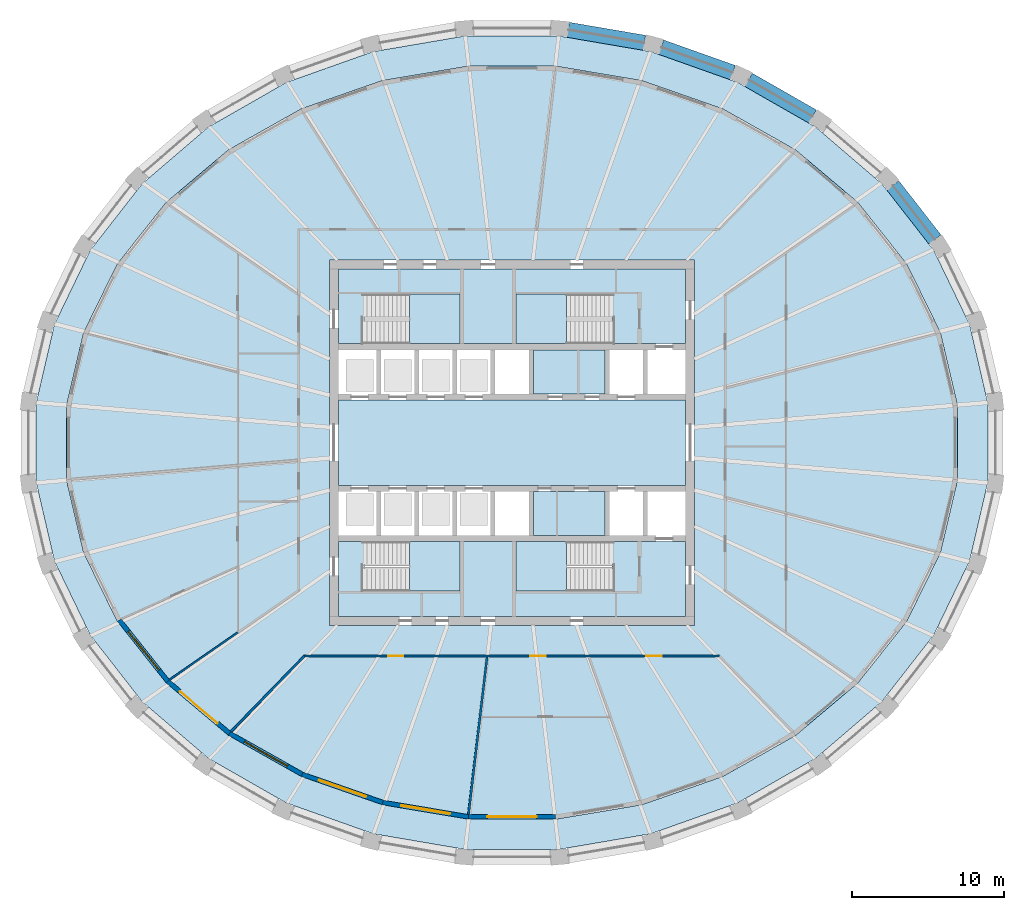
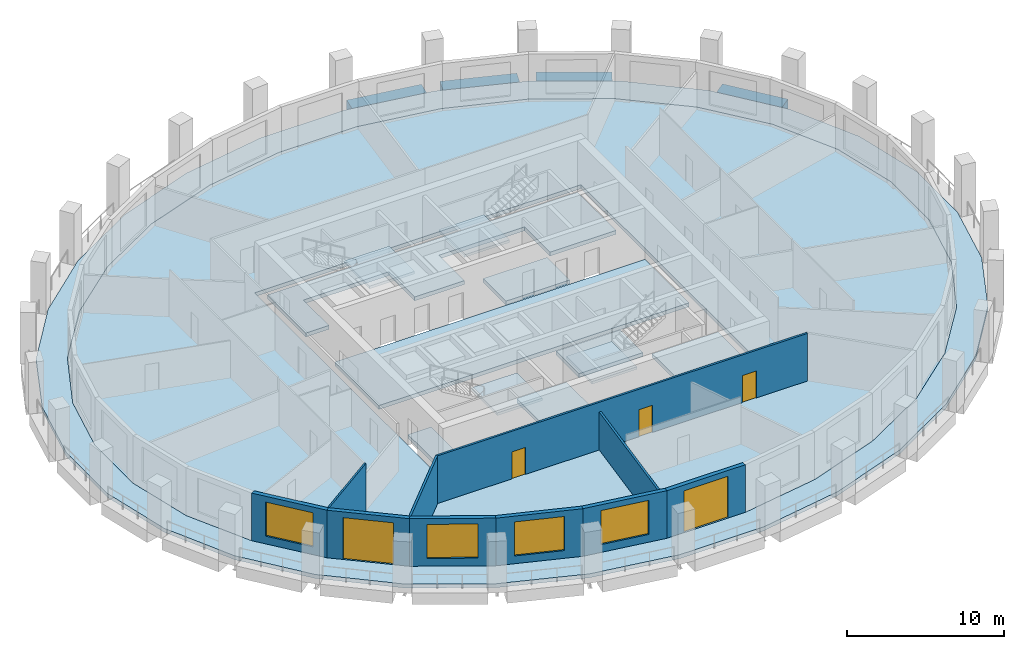
# One storey, part 2 of 11: 11 slabs, 10 walls, 5 doors, 4 beams, 4 windows, 9 openings, 4 elements without a shape of their own.
"""IFC4 building model written with IfcOpenShell, lengths in metres."""

from ifc_helpers import new_model, si_unit, direction, frame, frame_2d, origin, origin_2d, place, context, subcontext, project, spatial, polyline, rectangle, outline, extrude, material, layer, layer_set, material_profile, profile_set, type_object, element, fill, aggregate, save


model = new_model("IFC4")

# Units and contexts
model_context = context("Model", 3, precision=1e-05, world=origin(), true_north=direction((0.0, 1.0)))
body_context = subcontext(model_context, "Body", "Model", "MODEL_VIEW")
ifc_project = project(units=[si_unit("LENGTHUNIT", "METRE"), si_unit("AREAUNIT", "SQUARE_METRE"), si_unit("VOLUMEUNIT", "CUBIC_METRE"), si_unit("PLANEANGLEUNIT", "RADIAN"), si_unit("MASSUNIT", "GRAM", prefix="KILO")], contexts=[model_context])

# Site, building, storey
site_placement = place(None, origin())
site = spatial("IfcSite", under=ifc_project, at=site_placement, CompositionType="ELEMENT")
building_placement = place(site_placement, origin())
building = spatial("IfcBuilding", under=site, at=building_placement, Name="Halqa Exchange Tower", CompositionType="ELEMENT")
storey_placement = place(building_placement, frame((0.0, 0.0, 214.89990234375)))
storey = spatial("IfcBuildingStorey", under=building, at=storey_placement, Name="L49", CompositionType="ELEMENT", Elevation=214.89990234375)

# Beams
ifc_material_1 = material(Name="Concrete C60/75", Category="concrete")
ifc_material_profile = material_profile(ifc_material_1, rectangle(XDim=1.0, YDim=0.89990234375, at=origin_2d()), Name="1000 x 900")
ifc_profile_set = profile_set([ifc_material_profile], Name="Concrete C60/75")
beam_type = type_object("IfcBeamType", Name="RC spandrel beam 1000 x 900 C60/75", PredefinedType="SPANDREL", material=ifc_profile_set)
beam_1_placement = place(storey_placement, frame((27.775390625, 13.34033203125, -0.449951171875), z_axis=(-0.614807814893, 0.788676962226, 0.0), x_axis=(-0.788676962226, -0.614807814893, 0.0)))
element("IfcBeam", 1, at=beam_1_placement, inside=storey, type_object=beam_type, Name="Spandrel 3", PredefinedType="SPANDREL", context=body_context, shape_type="SweptSolid", body=[
    extrude(rectangle(XDim=1.0, YDim=0.89990234375, at=origin_2d()), origin(), (0.0, 0.0, 1.0), 4.500244140625),
])
beam_2_placement = place(storey_placement, frame((19.734619140625, 21.418701171875, -0.449951171875), z_axis=(-0.867767943929, 0.49696961224, 0.0), x_axis=(-0.49696961224, -0.867767943929, 0.0)))
element("IfcBeam", 2, at=beam_2_placement, inside=storey, type_object=beam_type, Name="Spandrel 5", PredefinedType="SPANDREL", context=body_context, shape_type="SweptSolid", body=[
    extrude(rectangle(XDim=1.0, YDim=0.89990234375, at=origin_2d()), origin(), (0.0, 0.0, 1.0), 4.84130859375),
])
beam_3_placement = place(storey_placement, frame((14.49462890625, 24.302001953125, -0.449951171875), z_axis=(-0.942368939802, 0.334575524054, 0.0), x_axis=(-0.334575524054, -0.942368939802, 0.0)))
element("IfcBeam", 3, at=beam_3_placement, inside=storey, type_object=beam_type, Name="Spandrel 6", PredefinedType="SPANDREL", context=body_context, shape_type="SweptSolid", body=[
    extrude(rectangle(XDim=1.0, YDim=0.89990234375, at=origin_2d()), origin(), (0.0, 0.0, 1.0), 4.981689453125),
])
beam_4_placement = place(storey_placement, frame((8.692626953125, 26.257568359375, -0.449951171875), z_axis=(-0.985769121581, 0.168104845076, 0.0), x_axis=(-0.168104845076, -0.985769121581, 0.0)))
element("IfcBeam", 4, at=beam_4_placement, inside=storey, type_object=beam_type, Name="Spandrel 7", PredefinedType="SPANDREL", context=body_context, shape_type="SweptSolid", body=[
    extrude(rectangle(XDim=1.0, YDim=0.89990234375, at=origin_2d()), origin(), (0.0, 0.0, 1.0), 5.072998046875),
])

# Slabs
ifc_layer_1 = layer(ifc_material_1, 0.300048828125)
ifc_layer_set_1 = layer_set([ifc_layer_1], Name="Concrete C60/75")
slab_type_1 = type_object("IfcSlabType", Name="Core floor slab 300", PredefinedType="FLOOR", material=ifc_layer_set_1)
slab_1_placement = place(storey_placement, frame((0.0, 0.0, -0.2998046875)))
element("IfcSlab", 5, at=slab_1_placement, inside=storey, type_object=slab_type_1, Name="Core floor slab", PredefinedType="FLOOR", context=body_context, shape_type="SweptSolid", body=[
    extrude(outline(polyline([(-11.39990234375, 2.800048828125), (11.39990234375, 2.800048828125), (11.39990234375, -2.800048828125), (-11.39990234375, -2.800048828125), (-11.39990234375, 2.800048828125)])), origin(), (0.0, 0.0, 1.0), 0.2998046875),
])
slab_2_placement = place(storey_placement, frame((0.0, 0.0, -0.2998046875)))
element("IfcSlab", 6, at=slab_2_placement, inside=storey, type_object=slab_type_1, Name="Core floor slab", PredefinedType="FLOOR", context=body_context, shape_type="SweptSolid", body=[
    extrude(outline(polyline([(-11.39990234375, 11.39990234375), (11.39990234375, 11.39990234375), (11.39990234375, 6.5), (6.550048828125, 6.5), (6.550048828125, 9.75), (0.25, 9.75), (0.25, 6.5), (-3.39990234375, 6.5), (-3.39990234375, 9.75), (-9.699951171875, 9.75), (-9.699951171875, 6.5), (-11.39990234375, 6.5), (-11.39990234375, 11.39990234375)])), origin(), (0.0, 0.0, 1.0), 0.2998046875),
])
slab_3_placement = place(storey_placement, frame((0.0, 0.0, -0.2998046875)))
element("IfcSlab", 7, at=slab_3_placement, inside=storey, type_object=slab_type_1, Name="Core floor slab", PredefinedType="FLOOR", context=body_context, shape_type="SweptSolid", body=[
    extrude(outline(polyline([(-9.699951171875, -9.75), (-3.39990234375, -9.75), (-3.39990234375, -6.5), (0.25, -6.5), (0.25, -9.75), (6.550048828125, -9.75), (6.550048828125, -6.5), (11.39990234375, -6.5), (11.39990234375, -11.39990234375), (-11.39990234375, -11.39990234375), (-11.39990234375, -6.5), (-9.699951171875, -6.5), (-9.699951171875, -9.75)])), origin(), (0.0, 0.0, 1.0), 0.2998046875),
])
slab_4_placement = place(storey_placement, frame((0.0, 0.0, -0.2998046875)))
element("IfcSlab", 8, at=slab_4_placement, inside=storey, type_object=slab_type_1, Name="Core floor slab", PredefinedType="FLOOR", context=body_context, shape_type="SweptSolid", body=[
    extrude(outline(polyline([(6.10009765625, -3.199951171875), (6.10009765625, -6.10009765625), (1.39990234375, -6.10009765625), (1.39990234375, -3.199951171875), (6.10009765625, -3.199951171875)])), origin(), (0.0, 0.0, 1.0), 0.2998046875),
])
slab_5_placement = place(storey_placement, frame((0.0, 0.0, -0.2998046875)))
element("IfcSlab", 9, at=slab_5_placement, inside=storey, type_object=slab_type_1, Name="Core floor slab", PredefinedType="FLOOR", context=body_context, shape_type="SweptSolid", body=[
    extrude(outline(polyline([(6.10009765625, 6.10009765625), (6.10009765625, 3.199951171875), (1.39990234375, 3.199951171875), (1.39990234375, 6.10009765625), (6.10009765625, 6.10009765625)])), origin(), (0.0, 0.0, 1.0), 0.2998046875),
])
ifc_material_2 = material(Name="Concrete C40/50", Category="concrete")
ifc_layer_2 = layer(ifc_material_2, 0.300048828125)
ifc_layer_set_2 = layer_set([ifc_layer_2], Name="Concrete C40/50")
slab_type_2 = type_object("IfcSlabType", Name="RC floor slab 300", PredefinedType="FLOOR", material=ifc_layer_set_2)
slab_6_placement = place(storey_placement, frame((0.0, 0.0, -0.2998046875)))
element("IfcSlab", 10, at=slab_6_placement, inside=storey, type_object=slab_type_2, Name="Floor slab", PredefinedType="FLOOR", context=body_context, shape_type="SweptSolid", body=[
    extrude(outline(polyline([(29.254638671875, 2.440185546875), (28.126220703125, 7.224853515625), (25.914306640625, 11.728515625), (22.706787109375, 15.77685546875), (18.62939453125, 19.2158203125), (13.839111328125, 21.915283203125), (8.5205078125, 23.773193359375), (2.876708984375, 24.72021484375), (-2.876708984375, 24.72021484375), (-8.5205078125, 23.773193359375), (-13.839111328125, 21.915283203125), (-18.62939453125, 19.2158203125), (-22.706787109375, 15.77685546875), (-25.914306640625, 11.728515625), (-28.126220703125, 7.224853515625), (-29.254638671875, 2.440185546875), (-29.254638671875, -2.440185546875), (-28.126220703125, -7.224853515625), (-25.914306640625, -11.728515625), (-22.706787109375, -15.77685546875), (-18.62939453125, -19.2158203125), (-13.839111328125, -21.915283203125), (-8.5205078125, -23.773193359375), (-2.876708984375, -24.72021484375), (2.876708984375, -24.72021484375), (8.5205078125, -23.773193359375), (13.839111328125, -21.915283203125), (18.62939453125, -19.2158203125), (22.706787109375, -15.77685546875), (25.914306640625, -11.728515625), (28.126220703125, -7.224853515625), (29.254638671875, -2.440185546875), (29.254638671875, 2.440185546875)]), holes=[polyline([(-12.0, -12.0), (12.0, -12.0), (12.0, 12.0), (-12.0, 12.0), (-12.0, -12.0)])]), origin(), (0.0, 0.0, 1.0), 0.2998046875),
])
ifc_layer_3 = layer(ifc_material_2, 0.300048828125)
ifc_layer_set_3 = layer_set([ifc_layer_3], Name="Concrete C40/50")
slab_type_3 = type_object("IfcSlabType", Name="RC loggia slab 300", PredefinedType="FLOOR", material=ifc_layer_set_3)
slab_7_placement = place(storey_placement, frame((0.0, 0.0, -0.2998046875)))
element("IfcSlab", 11, at=slab_7_placement, inside=storey, type_object=slab_type_3, Name="Loggia slab", PredefinedType="FLOOR", context=body_context, shape_type="SweptSolid", body=[
    extrude(outline(polyline([(31.2412109375, 2.622314453125), (31.2412109375, -2.622314453125), (30.046875, -7.7685546875), (27.70166015625, -12.62158203125), (24.29150390625, -16.99609375), (19.9443359375, -20.722412109375), (14.825439453125, -23.654052734375), (9.1318359375, -25.675537109375), (3.083984375, -26.706787109375), (-3.083984375, -26.706787109375), (-9.1318359375, -25.675537109375), (-14.825439453125, -23.654052734375), (-19.9443359375, -20.722412109375), (-24.29150390625, -16.99609375), (-27.70166015625, -12.62158203125), (-30.046875, -7.7685546875), (-31.2412109375, -2.622314453125), (-31.2412109375, 2.622314453125), (-30.046875, 7.7685546875), (-27.70166015625, 12.62158203125), (-24.29150390625, 16.99609375), (-19.9443359375, 20.722412109375), (-14.825439453125, 23.654052734375), (-9.1318359375, 25.675537109375), (-3.083984375, 26.706787109375), (3.083984375, 26.706787109375), (9.1318359375, 25.675537109375), (14.825439453125, 23.654052734375), (19.9443359375, 20.722412109375), (24.29150390625, 16.99609375), (27.70166015625, 12.62158203125), (30.046875, 7.7685546875), (31.2412109375, 2.622314453125)]), holes=[polyline([(29.254638671875, 2.440185546875), (28.126220703125, 7.224853515625), (25.914306640625, 11.728515625), (22.706787109375, 15.77685546875), (18.62939453125, 19.2158203125), (13.839111328125, 21.915283203125), (8.5205078125, 23.773193359375), (2.876708984375, 24.72021484375), (-2.876708984375, 24.72021484375), (-8.5205078125, 23.773193359375), (-13.839111328125, 21.915283203125), (-18.62939453125, 19.2158203125), (-22.706787109375, 15.77685546875), (-25.914306640625, 11.728515625), (-28.126220703125, 7.224853515625), (-29.254638671875, 2.440185546875), (-29.254638671875, -2.440185546875), (-28.126220703125, -7.224853515625), (-25.914306640625, -11.728515625), (-22.706787109375, -15.77685546875), (-18.62939453125, -19.2158203125), (-13.839111328125, -21.915283203125), (-8.5205078125, -23.773193359375), (-2.876708984375, -24.72021484375), (2.876708984375, -24.72021484375), (8.5205078125, -23.773193359375), (13.839111328125, -21.915283203125), (18.62939453125, -19.2158203125), (22.706787109375, -15.77685546875), (25.914306640625, -11.728515625), (28.126220703125, -7.224853515625), (29.254638671875, -2.440185546875), (29.254638671875, 2.440185546875)])]), origin(), (0.0, 0.0, 1.0), 0.2998046875),
])

# Stair, slab
ifc_material_3 = material(Name="Concrete C30/37", Category="concrete")
stair_type = type_object("IfcStairType", Name="Exit stair 1500 wide", PredefinedType="HALF_TURN_STAIR", material=ifc_material_3)
stair_1_placement = place(storey_placement, origin())
stair_1 = element("IfcStair", 12, at=stair_1_placement, inside=storey, type_object=stair_type, Name="Exit stair ST1", PredefinedType="HALF_TURN_STAIR")
ifc_layer_4 = layer(ifc_material_3, 0.199951171875)
ifc_layer_set_4 = layer_set([ifc_layer_4], Name="Concrete C30/37")
slab_type_4 = type_object("IfcSlabType", Name="Stair landing 200 slab", PredefinedType="LANDING", material=ifc_layer_set_4)
slab_8_placement = place(storey_placement, frame((0.0, 0.0, 1.800048828125)))
slab_8 = element("IfcSlab", 13, at=slab_8_placement, type_object=slab_type_4, Name="ST1 landing 1", PredefinedType="LANDING", context=body_context, shape_type="SweptSolid", body=[
    extrude(outline(polyline([(-6.719970703125, 6.5), (-3.39990234375, 6.5), (-3.39990234375, 9.75), (-6.719970703125, 9.75), (-6.719970703125, 6.5)])), origin(), (0.0, 0.0, 1.0), 0.199951171875),
])
aggregate(stair_1, [slab_8])

stair_2_placement = place(storey_placement, origin())
stair_2 = element("IfcStair", 14, at=stair_2_placement, inside=storey, type_object=stair_type, Name="Exit stair ST2", PredefinedType="HALF_TURN_STAIR")
slab_9_placement = place(storey_placement, frame((0.0, 0.0, 1.800048828125)))
slab_9 = element("IfcSlab", 15, at=slab_9_placement, type_object=slab_type_4, Name="ST2 landing 1", PredefinedType="LANDING", context=body_context, shape_type="SweptSolid", body=[
    extrude(outline(polyline([(0.25, 6.5), (3.570068359375, 6.5), (3.570068359375, 9.75), (0.25, 9.75), (0.25, 6.5)])), origin(), (0.0, 0.0, 1.0), 0.199951171875),
])
aggregate(stair_2, [slab_9])

stair_3_placement = place(storey_placement, origin())
stair_3 = element("IfcStair", 16, at=stair_3_placement, inside=storey, type_object=stair_type, Name="Exit stair ST3", PredefinedType="HALF_TURN_STAIR")
slab_10_placement = place(storey_placement, frame((0.0, 0.0, 1.800048828125)))
slab_10 = element("IfcSlab", 17, at=slab_10_placement, type_object=slab_type_4, Name="ST3 landing 1", PredefinedType="LANDING", context=body_context, shape_type="SweptSolid", body=[
    extrude(outline(polyline([(-6.719970703125, -9.75), (-3.39990234375, -9.75), (-3.39990234375, -6.5), (-6.719970703125, -6.5), (-6.719970703125, -9.75)])), origin(), (0.0, 0.0, 1.0), 0.199951171875),
])
aggregate(stair_3, [slab_10])

stair_4_placement = place(storey_placement, origin())
stair_4 = element("IfcStair", 18, at=stair_4_placement, inside=storey, type_object=stair_type, Name="Exit stair ST4", PredefinedType="HALF_TURN_STAIR")
slab_11_placement = place(storey_placement, frame((0.0, 0.0, 1.800048828125)))
slab_11 = element("IfcSlab", 19, at=slab_11_placement, type_object=slab_type_4, Name="ST4 landing 1", PredefinedType="LANDING", context=body_context, shape_type="SweptSolid", body=[
    extrude(outline(polyline([(0.25, -9.75), (3.570068359375, -9.75), (3.570068359375, -6.5), (0.25, -6.5), (0.25, -9.75)])), origin(), (0.0, 0.0, 1.0), 0.199951171875),
])
aggregate(stair_4, [slab_11])

# Wall, openings, doors
ifc_material_4 = material(Name="Fire-rated gypsum board")
ifc_layer_5 = layer(ifc_material_4, 0.14990234375)
ifc_layer_set_5 = layer_set([ifc_layer_5], Name="Fire-rated gypsum board")
wall_type_1 = type_object("IfcWallType", Name="Fire partition EI 60 150", PredefinedType="PARTITIONING", material=ifc_layer_set_5)
wall_1_placement = place(storey_placement, frame((-13.651611328125, -14.0, 0.0), z_axis=(0.0, 0.0, 1.0), x_axis=(1.0, 0.0, 0.0)))
wall_1 = element("IfcWall", 20, at=wall_1_placement, inside=storey, type_object=wall_type_1, Name="L49-PWL-010", PredefinedType="PARTITIONING", context=body_context, shape_type="SweptSolid", body=[
    extrude(outline(polyline([(0.063232421875, -0.074951171875), (2.00439453125, -0.074951171875), (3.945556640625, -0.074951171875), (5.88671875, -0.074951171875), (7.828125, -0.074951171875), (9.769287109375, -0.074951171875), (11.71044921875, -0.074951171875), (13.651611328125, -0.074951171875), (15.5927734375, -0.074951171875), (17.533935546875, -0.074951171875), (19.47509765625, -0.074951171875), (21.41650390625, -0.074951171875), (23.357666015625, -0.074951171875), (25.298828125, -0.074951171875), (27.239990234375, -0.074951171875), (27.30322265625, 0.074951171875), (27.30322265625, 0.074951171875), (25.35302734375, 0.074951171875), (23.40283203125, 0.074951171875), (21.45263671875, 0.074951171875), (19.502197265625, 0.074951171875), (17.552001953125, 0.074951171875), (15.601806640625, 0.074951171875), (13.651611328125, 0.074951171875), (11.701416015625, 0.074951171875), (9.751220703125, 0.074951171875), (7.801025390625, 0.074951171875), (5.8505859375, 0.074951171875), (3.900390625, 0.074951171875), (1.9501953125, 0.074951171875), (0.0, 0.074951171875), (0.0, 0.074951171875), (0.063232421875, -0.074951171875)])), origin(), (0.0, 0.0, 1.0), 3.7001953125),
])
opening_1_placement = place(wall_1_placement, frame((5.526611328125, 0.0, 0.0)))
opening_1 = element("IfcOpeningElement", 21, at=opening_1_placement, cuts=wall_1, Name="Opening 15-08", PredefinedType="OPENING", context=body_context, shape_type="SweptSolid", body=[
    extrude(rectangle(XDim=1.0, YDim=2.10009765625, at=frame_2d((0.5, 1.050048828125))), frame((0.0, 0.0869140625, 0.0), z_axis=(0.0, -1.0, 0.0), x_axis=(1.0, 0.0, 0.0)), (0.0, 0.0, 1.0), 0.173828125),
])
opening_2_placement = place(wall_1_placement, frame((14.856689453125, 0.0, 0.0)))
opening_2 = element("IfcOpeningElement", 22, at=opening_2_placement, cuts=wall_1, Name="Opening 15-09", PredefinedType="OPENING", context=body_context, shape_type="SweptSolid", body=[
    extrude(rectangle(XDim=1.0, YDim=2.10009765625, at=frame_2d((0.5, 1.050048828125))), frame((0.0, 0.0869140625, 0.0), z_axis=(0.0, -1.0, 0.0), x_axis=(1.0, 0.0, 0.0)), (0.0, 0.0, 1.0), 0.173828125),
])
opening_3_placement = place(wall_1_placement, frame((22.481689453125, 0.0, 0.0)))
opening_3 = element("IfcOpeningElement", 23, at=opening_3_placement, cuts=wall_1, Name="Opening 15-10", PredefinedType="OPENING", context=body_context, shape_type="SweptSolid", body=[
    extrude(rectangle(XDim=1.0, YDim=2.10009765625, at=frame_2d((0.5, 1.050048828125))), frame((0.0, 0.0869140625, 0.0), z_axis=(0.0, -1.0, 0.0), x_axis=(1.0, 0.0, 0.0)), (0.0, 0.0, 1.0), 0.173828125),
])
ifc_material_5 = material(Name="Steel fire door leaf", Category="steel")
door_type_1 = type_object("IfcDoorType", Name="Fire door FD30S 1000 x 2100", OperationType="SINGLE_SWING_LEFT", PredefinedType="DOOR", material=ifc_material_5)
door_1_placement = place(opening_1_placement, frame((1.0, 0.0, 0.0), z_axis=(0.0, 0.0, 1.0), x_axis=(-1.0, 0.0, 0.0)))
door_1 = element("IfcDoor", 24, at=door_1_placement, inside=storey, type_object=door_type_1, Name="L49-IDR-008", OperationType="SINGLE_SWING_LEFT", OverallHeight=2.10009765625, OverallWidth=1.0, PredefinedType="DOOR", context=body_context, shape_type="SweptSolid", body=[
    extrude(rectangle(XDim=1.0, YDim=2.10009765625, at=frame_2d((0.5, 1.050048828125))), frame((0.0, 0.02490234375, 0.0), z_axis=(0.0, -1.0, 0.0), x_axis=(1.0, 0.0, 0.0)), (0.0, 0.0, 1.0), 0.050048828125),
])
fill(opening_1, door_1)
door_2_placement = place(opening_2_placement, frame((1.0, 0.0, 0.0), z_axis=(0.0, 0.0, 1.0), x_axis=(-1.0, 0.0, 0.0)))
door_2 = element("IfcDoor", 25, at=door_2_placement, inside=storey, type_object=door_type_1, Name="L49-IDR-009", OperationType="SINGLE_SWING_LEFT", OverallHeight=2.10009765625, OverallWidth=1.0, PredefinedType="DOOR", context=body_context, shape_type="SweptSolid", body=[
    extrude(rectangle(XDim=1.0, YDim=2.10009765625, at=frame_2d((0.5, 1.050048828125))), frame((0.0, 0.02490234375, 0.0), z_axis=(0.0, -1.0, 0.0), x_axis=(1.0, 0.0, 0.0)), (0.0, 0.0, 1.0), 0.050048828125),
])
fill(opening_2, door_2)
door_3_placement = place(opening_3_placement, frame((1.0, 0.0, 0.0), z_axis=(0.0, 0.0, 1.0), x_axis=(-1.0, 0.0, 0.0)))
door_3 = element("IfcDoor", 26, at=door_3_placement, inside=storey, type_object=door_type_1, Name="L49-IDR-010", OperationType="SINGLE_SWING_RIGHT", OverallHeight=2.10009765625, OverallWidth=1.0, PredefinedType="DOOR", context=body_context, shape_type="SweptSolid", body=[
    extrude(rectangle(XDim=1.0, YDim=2.10009765625, at=frame_2d((0.5, 1.050048828125))), frame((0.0, 0.02490234375, 0.0), z_axis=(0.0, -1.0, 0.0), x_axis=(1.0, 0.0, 0.0)), (0.0, 0.0, 1.0), 0.050048828125),
])
fill(opening_3, door_3)

# Walls
wall_2_placement = place(storey_placement, frame((-13.597900390625, -13.977294921875, 0.0), z_axis=(0.0, 0.0, 1.0), x_axis=(-0.697374409368, -0.716707006494, 0.0)))
element("IfcWall", 27, at=wall_2_placement, inside=storey, type_object=wall_type_1, Name="L49-PWL-017", PredefinedType="PARTITIONING", context=body_context, shape_type="SweptSolid", body=[
    extrude(outline(polyline([(6.970947265625, -0.074951171875), (6.970947265625, -0.070068359375), (6.966064453125, -0.002197265625), (6.94580078125, 0.074951171875), (5.22509765625, 0.074951171875), (3.504638671875, 0.074951171875), (1.783935546875, 0.074951171875), (0.063232421875, 0.074951171875), (0.03173828125, 0.0), (0.0, -0.074951171875), (1.74267578125, -0.074951171875), (3.485595703125, -0.074951171875), (5.228271484375, -0.074951171875), (6.970947265625, -0.074951171875)])), origin(), (0.0, 0.0, 1.0), 3.7001953125),
])
wall_3_placement = place(storey_placement, frame((-2.854248046875, -24.41552734375, 0.0), z_axis=(0.0, 0.0, 1.0), x_axis=(0.116750167138, 0.993161315433, 0.0)))
element("IfcWall", 28, at=wall_3_placement, inside=storey, type_object=wall_type_1, Name="L49-PWL-019", PredefinedType="PARTITIONING", context=body_context, shape_type="SweptSolid", body=[
    extrude(outline(polyline([(0.004150390625, -0.074951171875), (1.630126953125, -0.074951171875), (3.256103515625, -0.074951171875), (4.882080078125, -0.074951171875), (6.508056640625, -0.074951171875), (6.518798828125, -0.07373046875), (6.518798828125, -0.074951171875), (8.469482421875, -0.074951171875), (10.420166015625, -0.074951171875), (10.420166015625, -0.07177734375), (10.40283203125, 0.074951171875), (8.669189453125, 0.074951171875), (6.935302734375, 0.074951171875), (5.201416015625, 0.074951171875), (3.467529296875, 0.074951171875), (1.73388671875, 0.074951171875), (0.0, 0.074951171875), (0.0, -0.0390625), (0.004150390625, -0.074951171875)])), origin(), (0.0, 0.0, 1.0), 2.947021484375),
])
ifc_material_6 = material(Name="Fire-rated glazing", Category="glass")
ifc_layer_6 = layer(ifc_material_6, 0.1201171875)
ifc_layer_set_6 = layer_set([ifc_layer_6], Name="Fire-rated glazing")
wall_type_2 = type_object("IfcWallType", Name="Glazed fire partition EI 60 120", PredefinedType="PARTITIONING", material=ifc_layer_set_6)
wall_4_placement = place(storey_placement, frame((-22.4931640625, -15.569091796875, 0.0), z_axis=(0.0, 0.0, 1.0), x_axis=(0.822322462014, 0.569021764494, 0.0)))
element("IfcWall", 29, at=wall_4_placement, inside=storey, type_object=wall_type_2, Name="L49-PWL-001", PredefinedType="PARTITIONING", context=body_context, shape_type="SweptSolid", body=[
    extrude(outline(polyline([(0.019775390625, -0.06005859375), (1.83447265625, -0.06005859375), (3.649169921875, -0.06005859375), (5.4638671875, -0.06005859375), (5.4638671875, 0.06005859375), (3.642578125, 0.06005859375), (1.8212890625, 0.06005859375), (0.0, 0.06005859375), (0.0, 0.053466796875), (0.00341796875, 0.000244140625), (0.019775390625, -0.06005859375)])), origin(), (0.0, 0.0, 1.0), 3.7001953125),
])

# Wall, opening, window
ifc_material_7 = material(Name="Limestone cladding", Category="masonry")
ifc_layer_7 = layer(ifc_material_7, 0.0400390625)
ifc_material_8 = material(Name="Ventilated cavity")
ifc_layer_8 = layer(ifc_material_8, 0.030029296875, ventilated=True)
ifc_material_9 = material(Name="Mineral wool insulation")
ifc_layer_9 = layer(ifc_material_9, 0.10009765625)
ifc_layer_10 = layer(ifc_material_3, 0.10009765625)
ifc_material_10 = material(Name="Internal plaster")
ifc_layer_11 = layer(ifc_material_10, 0.030029296875)
ifc_layer_set_7 = layer_set([ifc_layer_7, ifc_layer_8, ifc_layer_9, ifc_layer_10, ifc_layer_11], Name="Stone-faced insulated wall 300")
wall_type_3 = type_object("IfcWallType", Name="Stone-faced insulated wall 300", PredefinedType="STANDARD", material=ifc_layer_set_7)
wall_5_placement = place(storey_placement, frame((-25.786865234375, -11.64794921875, 0.0), z_axis=(0.0, 0.0, 1.0), x_axis=(0.621017151557, -0.783796974651, 0.0)))
wall_5 = element("IfcWall", 30, at=wall_5_placement, inside=storey, type_object=wall_type_3, Name="Glass-line wall 19", PredefinedType="STANDARD", context=body_context, shape_type="SweptSolid", body=[
    extrude(outline(polyline([(-0.01611328125, -0.14990234375), (5.14892578125, -0.14990234375), (5.11865234375, 0.14990234375), (0.01611328125, 0.14990234375), (-0.01611328125, -0.14990234375)])), origin(), (0.0, 0.0, 1.0), 3.7001953125),
])
opening_4_placement = place(wall_5_placement, frame((0.94189453125, 0.0, 0.60009765625)))
opening_4 = element("IfcOpeningElement", 31, at=opening_4_placement, cuts=wall_5, Name="Opening W-F3-19", PredefinedType="OPENING", context=body_context, shape_type="SweptSolid", body=[
    extrude(rectangle(XDim=3.25, YDim=2.64990234375, at=frame_2d((1.625, 1.324951171875))), frame((0.0, 0.162109375, 0.0), z_axis=(0.0, -1.0, 0.0), x_axis=(1.0, 0.0, 0.0)), (0.0, 0.0, 1.0), 0.323974609375),
])
ifc_material_11 = material(Name="Clear low-emissivity glass in aluminium frame", Category="aluminium")
window_type = type_object("IfcWindowType", Name="Fixed clear glazed window 3250 x 2650", PartitioningType="TRIPLE_PANEL_VERTICAL", PredefinedType="WINDOW", material=ifc_material_11)
window_1_placement = place(opening_4_placement, origin())
window_1 = element("IfcWindow", 32, at=window_1_placement, inside=storey, type_object=window_type, Name="Window 3", OverallHeight=2.64990234375, OverallWidth=3.25, PartitioningType="TRIPLE_PANEL_VERTICAL", PredefinedType="WINDOW", context=body_context, shape_type="SweptSolid", body=[
    extrude(rectangle(XDim=3.25, YDim=2.64990234375, at=frame_2d((1.625, 1.324951171875))), frame((0.0, 0.030029296875, 0.0), z_axis=(0.0, -1.0, 0.0), x_axis=(1.0, 0.0, 0.0)), (0.0, 0.0, 1.0), 0.06005859375),
])
fill(opening_4, window_1)

# Wall, opening, door
wall_6_placement = place(storey_placement, frame((-22.5986328125, -15.671875, 0.0), z_axis=(0.0, 0.0, 1.0), x_axis=(0.764397795062, -0.644744919255, 0.0)))
wall_6 = element("IfcWall", 33, at=wall_6_placement, inside=storey, type_object=wall_type_3, Name="Glass-line wall 20", PredefinedType="STANDARD", context=body_context, shape_type="SweptSolid", body=[
    extrude(outline(polyline([(-0.01513671875, -0.14990234375), (5.3193359375, -0.14990234375), (5.291015625, 0.14990234375), (0.01513671875, 0.14990234375), (-0.01513671875, -0.14990234375)])), origin(), (0.0, 0.0, 1.0), 3.7001953125),
])
opening_5_placement = place(wall_6_placement, frame((1.027587890625, 0.0, 0.0)))
opening_5 = element("IfcOpeningElement", 34, at=opening_5_placement, cuts=wall_6, Name="Opening LG-F3-05", PredefinedType="OPENING", context=body_context, shape_type="SweptSolid", body=[
    extrude(rectangle(XDim=3.25, YDim=3.25, at=frame_2d((1.625, 1.625))), frame((0.0, 0.162109375, 0.0), z_axis=(0.0, -1.0, 0.0), x_axis=(1.0, 0.0, 0.0)), (0.0, 0.0, 1.0), 0.323974609375),
])
door_type_2 = type_object("IfcDoorType", Name="Glazed sliding loggia door 3250 x 3250", OperationType="DOUBLE_DOOR_SLIDING", PredefinedType="DOOR", material=ifc_material_11)
door_4_placement = place(opening_5_placement, origin())
door_4 = element("IfcDoor", 35, at=door_4_placement, inside=storey, type_object=door_type_2, Name="Loggia door 5", OperationType="DOUBLE_DOOR_SLIDING", OverallHeight=3.25, OverallWidth=3.25, PredefinedType="DOOR", context=body_context, shape_type="SweptSolid", body=[
    extrude(rectangle(XDim=3.25, YDim=3.25, at=frame_2d((1.625, 1.625))), frame((0.0, 0.02490234375, 0.0), z_axis=(0.0, -1.0, 0.0), x_axis=(1.0, 0.0, 0.0)), (0.0, 0.0, 1.0), 0.050048828125),
])
fill(opening_5, door_4)

# Wall, opening, window
wall_7_placement = place(storey_placement, frame((-18.54345703125, -19.09228515625, 0.0), z_axis=(0.0, 0.0, 1.0), x_axis=(0.871207038577, -0.490915772749, 0.0)))
wall_7 = element("IfcWall", 36, at=wall_7_placement, inside=storey, type_object=wall_type_3, Name="Glass-line wall 21", PredefinedType="STANDARD", context=body_context, shape_type="SweptSolid", body=[
    extrude(outline(polyline([(-0.01416015625, -0.14990234375), (5.484375, -0.14990234375), (5.45751953125, 0.14990234375), (0.01416015625, 0.14990234375), (-0.01416015625, -0.14990234375)])), origin(), (0.0, 0.0, 1.0), 3.7001953125),
])
opening_6_placement = place(wall_7_placement, frame((1.110595703125, 0.0, 0.60009765625)))
opening_6 = element("IfcOpeningElement", 37, at=opening_6_placement, cuts=wall_7, Name="Opening W-F3-21", PredefinedType="OPENING", context=body_context, shape_type="SweptSolid", body=[
    extrude(rectangle(XDim=3.25, YDim=2.64990234375, at=frame_2d((1.625, 1.324951171875))), frame((0.0, 0.162109375, 0.0), z_axis=(0.0, -1.0, 0.0), x_axis=(1.0, 0.0, 0.0)), (0.0, 0.0, 1.0), 0.323974609375),
])
window_2_placement = place(opening_6_placement, origin())
window_2 = element("IfcWindow", 38, at=window_2_placement, inside=storey, type_object=window_type, Name="Window 3", OverallHeight=2.64990234375, OverallWidth=3.25, PartitioningType="TRIPLE_PANEL_VERTICAL", PredefinedType="WINDOW", context=body_context, shape_type="SweptSolid", body=[
    extrude(rectangle(XDim=3.25, YDim=2.64990234375, at=frame_2d((1.625, 1.324951171875))), frame((0.0, 0.030029296875, 0.0), z_axis=(0.0, -1.0, 0.0), x_axis=(1.0, 0.0, 0.0)), (0.0, 0.0, 1.0), 0.06005859375),
])
fill(opening_6, window_2)

wall_8_placement = place(storey_placement, frame((-13.777099609375, -21.778076171875, 0.0), z_axis=(0.0, 0.0, 1.0), x_axis=(0.944053670735, -0.329791853708, 0.0)))
wall_8 = element("IfcWall", 39, at=wall_8_placement, inside=storey, type_object=wall_type_3, Name="Glass-line wall 22", PredefinedType="STANDARD", context=body_context, shape_type="SweptSolid", body=[
    extrude(outline(polyline([(-0.013427734375, -0.14990234375), (5.620361328125, -0.14990234375), (5.594970703125, 0.14990234375), (0.013427734375, 0.14990234375), (-0.013427734375, -0.14990234375)])), origin(), (0.0, 0.0, 1.0), 3.7001953125),
])
opening_7_placement = place(wall_8_placement, frame((1.178955078125, 0.0, 0.60009765625)))
opening_7 = element("IfcOpeningElement", 40, at=opening_7_placement, cuts=wall_8, Name="Opening W-F3-22", PredefinedType="OPENING", context=body_context, shape_type="SweptSolid", body=[
    extrude(rectangle(XDim=3.25, YDim=2.64990234375, at=frame_2d((1.625, 1.324951171875))), frame((0.0, 0.162109375, 0.0), z_axis=(0.0, -1.0, 0.0), x_axis=(1.0, 0.0, 0.0)), (0.0, 0.0, 1.0), 0.323974609375),
])
window_3_placement = place(opening_7_placement, origin())
window_3 = element("IfcWindow", 41, at=window_3_placement, inside=storey, type_object=window_type, Name="Window 3", OverallHeight=2.64990234375, OverallWidth=3.25, PartitioningType="TRIPLE_PANEL_VERTICAL", PredefinedType="WINDOW", context=body_context, shape_type="SweptSolid", body=[
    extrude(rectangle(XDim=3.25, YDim=2.64990234375, at=frame_2d((1.625, 1.324951171875))), frame((0.0, 0.030029296875, 0.0), z_axis=(0.0, -1.0, 0.0), x_axis=(1.0, 0.0, 0.0)), (0.0, 0.0, 1.0), 0.06005859375),
])
fill(opening_7, window_3)

wall_9_placement = place(storey_placement, frame((-8.483154296875, -23.62744140625, 0.0), z_axis=(0.0, 0.0, 1.0), x_axis=(0.986218486863, -0.16544816762, 0.0)))
wall_9 = element("IfcWall", 42, at=wall_9_placement, inside=storey, type_object=wall_type_3, Name="Glass-line wall 23", PredefinedType="STANDARD", context=body_context, shape_type="SweptSolid", body=[
    extrude(outline(polyline([(-0.0126953125, -0.14990234375), (5.7099609375, -0.14990234375), (5.68505859375, 0.14990234375), (0.0126953125, 0.14990234375), (-0.0126953125, -0.14990234375)])), origin(), (0.0, 0.0, 1.0), 3.7001953125),
])
opening_8_placement = place(wall_9_placement, frame((1.2236328125, 0.0, 0.60009765625)))
opening_8 = element("IfcOpeningElement", 43, at=opening_8_placement, cuts=wall_9, Name="Opening W-F3-23", PredefinedType="OPENING", context=body_context, shape_type="SweptSolid", body=[
    extrude(rectangle(XDim=3.25, YDim=2.64990234375, at=frame_2d((1.625, 1.324951171875))), frame((0.0, 0.162109375, 0.0), z_axis=(0.0, -1.0, 0.0), x_axis=(1.0, 0.0, 0.0)), (0.0, 0.0, 1.0), 0.323974609375),
])
window_4_placement = place(opening_8_placement, origin())
window_4 = element("IfcWindow", 44, at=window_4_placement, inside=storey, type_object=window_type, Name="Window 3", OverallHeight=2.64990234375, OverallWidth=3.25, PartitioningType="TRIPLE_PANEL_VERTICAL", PredefinedType="WINDOW", context=body_context, shape_type="SweptSolid", body=[
    extrude(rectangle(XDim=3.25, YDim=2.64990234375, at=frame_2d((1.625, 1.324951171875))), frame((0.0, 0.030029296875, 0.0), z_axis=(0.0, -1.0, 0.0), x_axis=(1.0, 0.0, 0.0)), (0.0, 0.0, 1.0), 0.06005859375),
])
fill(opening_8, window_4)

# Wall, opening, door
wall_10_placement = place(storey_placement, frame((-2.8642578125, -24.570068359375, 0.0), z_axis=(0.0, 0.0, 1.0), x_axis=(1.0, 0.0, 0.0)))
wall_10 = element("IfcWall", 45, at=wall_10_placement, inside=storey, type_object=wall_type_3, Name="Glass-line wall 24", PredefinedType="STANDARD", context=body_context, shape_type="SweptSolid", body=[
    extrude(outline(polyline([(-0.012451171875, -0.14990234375), (5.740966796875, -0.14990234375), (5.716064453125, 0.14990234375), (0.012451171875, 0.14990234375), (-0.012451171875, -0.14990234375)])), origin(), (0.0, 0.0, 1.0), 3.7001953125),
])
opening_9_placement = place(wall_10_placement, frame((1.2392578125, 0.0, 0.0)))
opening_9 = element("IfcOpeningElement", 46, at=opening_9_placement, cuts=wall_10, Name="Opening LG-F3-06", PredefinedType="OPENING", context=body_context, shape_type="SweptSolid", body=[
    extrude(rectangle(XDim=3.25, YDim=3.25, at=frame_2d((1.625, 1.625))), frame((0.0, 0.162109375, 0.0), z_axis=(0.0, -1.0, 0.0), x_axis=(1.0, 0.0, 0.0)), (0.0, 0.0, 1.0), 0.323974609375),
])
door_5_placement = place(opening_9_placement, origin())
door_5 = element("IfcDoor", 47, at=door_5_placement, inside=storey, type_object=door_type_2, Name="Loggia door 6", OperationType="DOUBLE_DOOR_SLIDING", OverallHeight=3.25, OverallWidth=3.25, PredefinedType="DOOR", context=body_context, shape_type="SweptSolid", body=[
    extrude(rectangle(XDim=3.25, YDim=3.25, at=frame_2d((1.625, 1.625))), frame((0.0, 0.02490234375, 0.0), z_axis=(0.0, -1.0, 0.0), x_axis=(1.0, 0.0, 0.0)), (0.0, 0.0, 1.0), 0.050048828125),
])
fill(opening_9, door_5)

save(model, "model.ifc")
